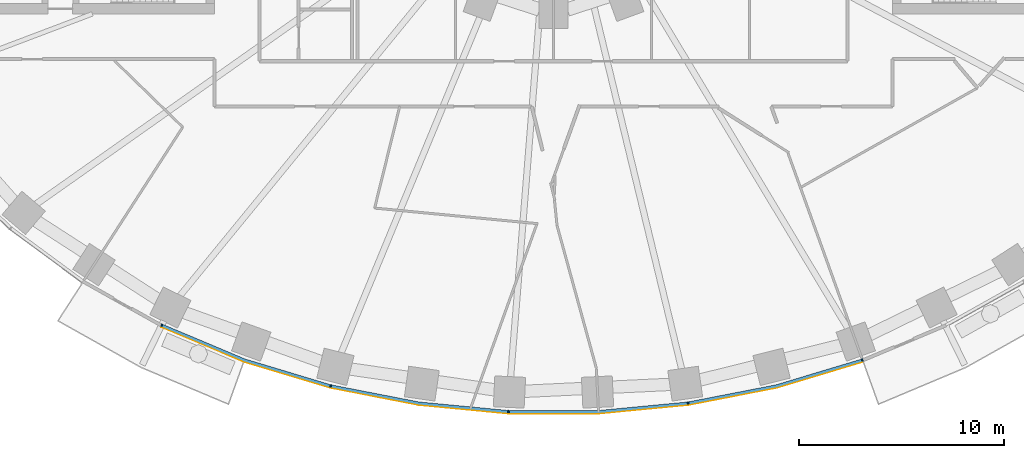
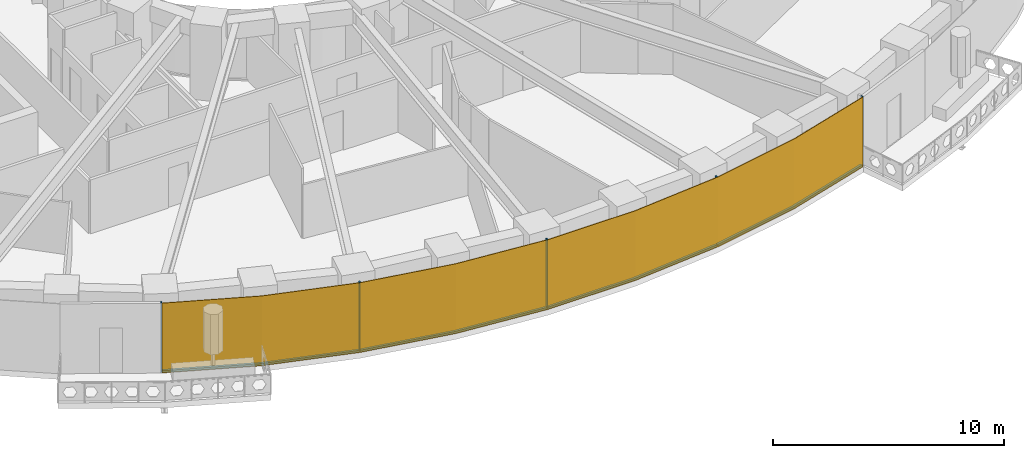
# One storey, part 9 of 15: 9 members, 1 curtain wall.
"""IFC4 building model written with IfcOpenShell, lengths in metres."""

from ifc_helpers import new_model, si_unit, direction, frame, origin, origin_2d, place, context, subcontext, project, spatial, polyline, rectangle, outline, extrude, material, layer, layer_set, material_profile, profile_set, type_object, element, aggregate, save


model = new_model("IFC4")

# Units and contexts
model_context = context("Model", 3, precision=1e-05, world=origin(), true_north=direction((0.0, 1.0)))
body_context = subcontext(model_context, "Body", "Model", "MODEL_VIEW")
ifc_project = project(units=[si_unit("LENGTHUNIT", "METRE"), si_unit("AREAUNIT", "SQUARE_METRE"), si_unit("VOLUMEUNIT", "CUBIC_METRE"), si_unit("PLANEANGLEUNIT", "RADIAN"), si_unit("MASSUNIT", "GRAM", prefix="KILO")], contexts=[model_context])

# Member
ifc_material_1 = material(Name="Aluminium 6063-T6 black anodised", Category="aluminium")
ifc_material_profile = material_profile(ifc_material_1, rectangle(XDim=0.1201171875, YDim=0.06005859375, at=origin_2d()), Name="120x60")
ifc_profile_set = profile_set([ifc_material_profile], Name="Aluminium 6063-T6 black anodised")
member_type_1 = type_object("IfcMemberType", Name="ENV-MULLION-A-120", PredefinedType="MULLION", material=ifc_profile_set)
site_placement = place(None, origin())
building_placement = place(site_placement, origin())
storey_placement = place(building_placement, frame((0.0, 0.0, 50.5)))
member_1_placement = place(storey_placement, frame((-19.06787109375, -23.6474609375, 0.0), z_axis=(0.0, 0.0, 1.0), x_axis=(0.439237769837, 0.898370848563, 0.0)))
member_1 = element("IfcMember", 1, at=member_1_placement, type_object=member_type_1, Name="Mullion A radial 31", PredefinedType="MULLION", context=body_context, shape_type="SweptSolid", body=[
    extrude(rectangle(XDim=0.1201171875, YDim=0.06005859375, at=origin_2d()), origin(), (0.0, 0.0, 1.0), 3.699951171875),
])

member_2_placement = place(storey_placement, frame((-10.84326171875, -26.60498046875, 0.0), z_axis=(0.0, 0.0, 1.0), x_axis=(0.239799081534, 0.970822538106, 0.0)))
member_2 = element("IfcMember", 2, at=member_2_placement, type_object=member_type_1, Name="Mullion A radial 33", PredefinedType="MULLION", context=body_context, shape_type="SweptSolid", body=[
    extrude(rectangle(XDim=0.1201171875, YDim=0.06005859375, at=origin_2d()), origin(), (0.0, 0.0, 1.0), 3.699951171875),
])

member_3_placement = place(storey_placement, frame((-2.188720703125, -27.856201171875, 0.0), z_axis=(0.0, 0.0, 1.0), x_axis=(0.047557873581, 0.998868484166, 0.0)))
member_3 = element("IfcMember", 3, at=member_3_placement, type_object=member_type_1, Name="Mullion A radial 35", PredefinedType="MULLION", context=body_context, shape_type="SweptSolid", body=[
    extrude(rectangle(XDim=0.1201171875, YDim=0.06005859375, at=origin_2d()), origin(), (0.0, 0.0, 1.0), 3.699951171875),
])

member_4_placement = place(storey_placement, frame((6.54638671875, -27.440185546875, 0.0), z_axis=(0.0, 0.0, 1.0), x_axis=(-0.143082012705, 0.989710835366, 0.0)))
member_4 = element("IfcMember", 4, at=member_4_placement, type_object=member_type_1, Name="Mullion A radial 37", PredefinedType="MULLION", context=body_context, shape_type="SweptSolid", body=[
    extrude(rectangle(XDim=0.1201171875, YDim=0.06005859375, at=origin_2d()), origin(), (0.0, 0.0, 1.0), 3.699951171875),
])

member_5_placement = place(storey_placement, frame((15.0341796875, -25.34375, 0.0), z_axis=(0.0, 0.0, 1.0), x_axis=(-0.338379256581, 0.941009818608, 0.0)))
member_5 = element("IfcMember", 5, at=member_5_placement, type_object=member_type_1, Name="Mullion A radial 39", PredefinedType="MULLION", context=body_context, shape_type="SweptSolid", body=[
    extrude(rectangle(XDim=0.1201171875, YDim=0.06005859375, at=origin_2d()), origin(), (0.0, 0.0, 1.0), 3.699951171875),
])

ifc_material_2 = material(Name="Aluminium 6063-T6 black anodised", Category="aluminium")
member_type_2 = type_object("IfcMemberType", Name="ENV-TRANSOM-A", PredefinedType="USERDEFINED", material=ifc_material_2)
member_6_placement = place(storey_placement, origin())
member_6 = element("IfcMember", 6, at=member_6_placement, type_object=member_type_2, Name="Transom A radial 31-33", ObjectType="TRANSOM", PredefinedType="USERDEFINED", context=body_context, shape_type="SweptSolid", body=[
    extrude(outline(polyline([(-19.068359375, -23.71240234375), (-15.054443359375, -25.400146484375), (-10.884521484375, -26.655029296875), (-10.855712890625, -26.53857421875), (-15.013916015625, -25.287109375), (-19.015380859375, -23.604248046875), (-19.068359375, -23.71240234375)])), origin(), (0.0, 0.0, 1.0), 0.10009765625),
])

member_7_placement = place(storey_placement, origin())
member_7 = element("IfcMember", 7, at=member_7_placement, type_object=member_type_2, Name="Transom A radial 33-35", ObjectType="TRANSOM", PredefinedType="USERDEFINED", context=body_context, shape_type="SweptSolid", body=[
    extrude(outline(polyline([(-10.830078125, -26.66845703125), (-6.55517578125, -27.49951171875), (-2.219482421875, -27.913330078125), (-2.2138671875, -27.793212890625), (-6.537841796875, -27.380615234375), (-10.80126953125, -26.552001953125), (-10.830078125, -26.66845703125)])), origin(), (0.0, 0.0, 1.0), 0.10009765625),
])

member_8_placement = place(storey_placement, origin())
member_8 = element("IfcMember", 8, at=member_8_placement, type_object=member_type_2, Name="Transom A radial 35-37", ObjectType="TRANSOM", PredefinedType="USERDEFINED", context=body_context, shape_type="SweptSolid", body=[
    extrude(outline(polyline([(-2.163818359375, -27.916015625), (2.191650390625, -27.916015625), (6.527099609375, -27.502197265625), (6.510009765625, -27.38330078125), (2.185791015625, -27.7958984375), (-2.157958984375, -27.7958984375), (-2.163818359375, -27.916015625)])), origin(), (0.0, 0.0, 1.0), 0.10009765625),
])

member_9_placement = place(storey_placement, origin())
member_9 = element("IfcMember", 9, at=member_9_placement, type_object=member_type_2, Name="Transom A radial 37-39", ObjectType="TRANSOM", PredefinedType="USERDEFINED", context=body_context, shape_type="SweptSolid", body=[
    extrude(outline(polyline([(6.58251953125, -27.494140625), (10.857666015625, -26.6630859375), (15.027587890625, -25.408203125), (14.987060546875, -25.295166015625), (10.828857421875, -26.54638671875), (6.5654296875, -27.375244140625), (6.58251953125, -27.494140625)])), origin(), (0.0, 0.0, 1.0), 0.10009765625),
])

# Site, building, storey
site = spatial("IfcSite", under=ifc_project, at=site_placement, CompositionType="ELEMENT")
building = spatial("IfcBuilding", under=site, at=building_placement, Name="Noorbagh Ring Tower", CompositionType="ELEMENT")
storey = spatial("IfcBuildingStorey", under=building, at=storey_placement, Name="L10", CompositionType="ELEMENT", Elevation=50.5)

# Curtain wall
ifc_material_3 = material(Name="Glass dark tinted laminated", Category="glass")
ifc_layer = layer(ifc_material_3, 0.031982421875)
ifc_layer_set = layer_set([ifc_layer], Name="Glass dark tinted laminated")
curtain_wall_type = type_object("IfcCurtainWallType", Name="ENV-CW-A", PredefinedType="NOTDEFINED", material=ifc_layer_set)
curtain_wall_placement = place(storey_placement, origin())
curtain_wall = element("IfcCurtainWall", 10, at=curtain_wall_placement, inside=storey, type_object=curtain_wall_type, Name="Curtain wall A R31", PredefinedType="NOTDEFINED", context=body_context, shape_type="SweptSolid", body=[
    extrude(outline(polyline([(-19.08984375, -23.738037109375), (-15.065185546875, -25.430419921875), (-10.865234375, -26.6943359375), (-6.559814453125, -27.53125), (-2.193115234375, -27.947998046875), (2.193115234375, -27.947998046875), (6.559814453125, -27.53125), (10.865234375, -26.6943359375), (15.046142578125, -25.43603515625), (15.035400390625, -25.406005859375), (10.857666015625, -26.6630859375), (6.55517578125, -27.49951171875), (2.191650390625, -27.916015625), (-2.191650390625, -27.916015625), (-6.55517578125, -27.49951171875), (-10.857666015625, -26.6630859375), (-15.054443359375, -25.400146484375), (-19.07568359375, -23.709228515625), (-19.08984375, -23.738037109375)])), origin(), (0.0, 0.0, 1.0), 3.699951171875),
])

aggregate(curtain_wall, [member_1, member_2, member_3, member_4, member_5, member_6, member_7, member_8, member_9])

save(model, "model.ifc")
